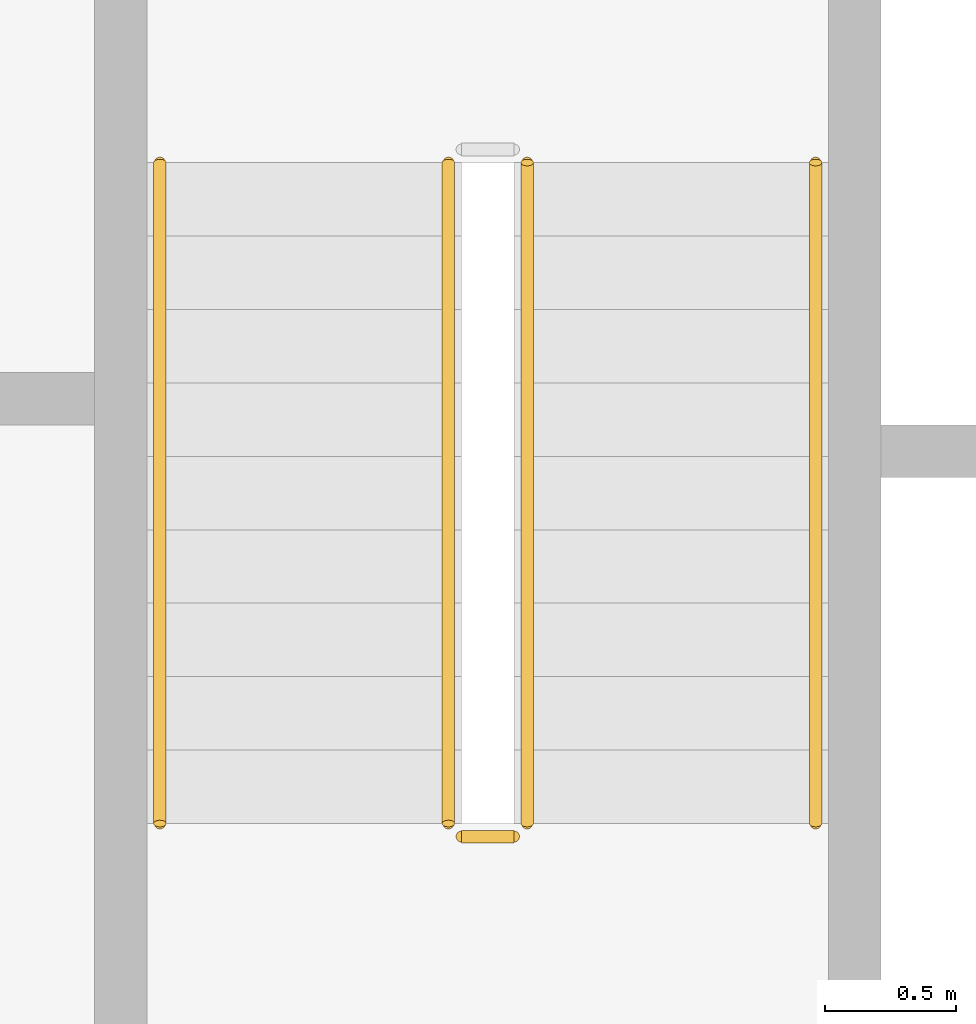
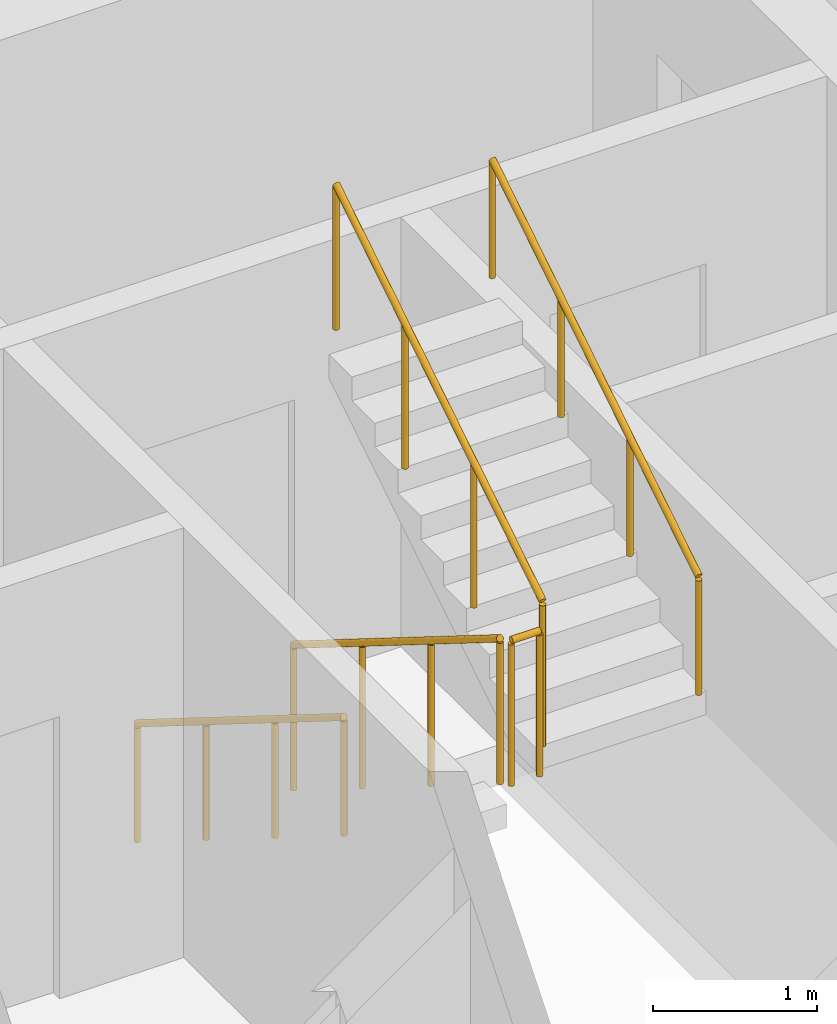
# One storey, part 15 of 22: 5 railings.
"""IFC4 building model written with IfcOpenShell, lengths in metres."""

from ifc_helpers import new_model, si_unit, direction, frame, origin, origin_2d, place, context, subcontext, project, spatial, circle, extrude, material, type_object, element, save


model = new_model("IFC4")

# Units and contexts
model_context = context("Model", 3, precision=1e-05, world=origin(), true_north=direction((0.0, 1.0)))
body_context = subcontext(model_context, "Body", "Model", "MODEL_VIEW")
ifc_project = project(units=[si_unit("LENGTHUNIT", "METRE"), si_unit("AREAUNIT", "SQUARE_METRE"), si_unit("VOLUMEUNIT", "CUBIC_METRE"), si_unit("PLANEANGLEUNIT", "RADIAN"), si_unit("MASSUNIT", "GRAM", prefix="KILO")], contexts=[model_context])

# Site, building, storey
site_placement = place(None, origin())
site = spatial("IfcSite", under=ifc_project, at=site_placement, CompositionType="ELEMENT")
building_placement = place(site_placement, origin())
building = spatial("IfcBuilding", under=site, at=building_placement, Name="Kiln Ring Residences", CompositionType="ELEMENT")
storey_placement = place(building_placement, frame((0.0, 0.0, 146.60009765625)))
storey = spatial("IfcBuildingStorey", under=building, at=storey_placement, Name="L37", CompositionType="ELEMENT", Elevation=146.60009765625)

# Railings
ifc_material_1 = material(Name="Stainless steel", Category="steel")
railing_type_1 = type_object("IfcRailingType", Name="CORE-STAIR-GUARD", PredefinedType="GUARDRAIL", material=ifc_material_1)
railing_1_placement = place(storey_placement, frame((-22.25, 8.39990234375, 0.1748046875)))
element("IfcRailing", 1, at=railing_1_placement, inside=storey, type_object=railing_type_1, Name="L37 W-STN stair guard 1", PredefinedType="GUARDRAIL", context=body_context, shape_type="SweptSolid", body=[
    extrude(circle(Radius=0.02392578125, at=origin_2d()), frame((0.0, 0.0, 1.076171875), z_axis=(0.0, -0.847970611238, 0.530043245855), x_axis=(1.0, 0.0, 0.0)), (0.0, 0.0, 1.0), 2.971923828125),
    extrude(circle(Radius=0.02099609375, at=origin_2d()), origin(), (0.0, 0.0, 1.0), 1.052001953125),
    extrude(circle(Radius=0.02099609375, at=origin_2d()), frame((0.0, -0.840087890625, 0.525146484375)), (0.0, 0.0, 1.0), 1.052001953125),
    extrude(circle(Radius=0.02099609375, at=origin_2d()), frame((0.0, -1.679931640625, 1.050048828125)), (0.0, 0.0, 1.0), 1.052001953125),
    extrude(circle(Radius=0.02099609375, at=origin_2d()), frame((0.0, -2.52001953125, 1.5751953125)), (0.0, 0.0, 1.0), 1.052001953125),
])
railing_2_placement = place(storey_placement, frame((-22.199951171875, 5.830078125, 1.75)))
element("IfcRailing", 2, at=railing_2_placement, inside=storey, type_object=railing_type_1, Name="L37 W-STN stair guard 2", PredefinedType="GUARDRAIL", context=body_context, shape_type="SweptSolid", body=[
    extrude(circle(Radius=0.02392578125, at=origin_2d()), frame((0.0, 0.0, 1.076171875), z_axis=(1.0, 0.0, 0.0), x_axis=(0.0, 1.0, 0.0)), (0.0, 0.0, 1.0), 0.199951171875),
    extrude(circle(Radius=0.02099609375, at=origin_2d()), origin(), (0.0, 0.0, 1.0), 1.052001953125),
    extrude(circle(Radius=0.02099609375, at=origin_2d()), frame((0.199951171875, 0.0, 0.0)), (0.0, 0.0, 1.0), 1.052001953125),
])
railing_3_placement = place(storey_placement, frame((-21.949951171875, 5.8798828125, 1.9248046875)))
element("IfcRailing", 3, at=railing_3_placement, inside=storey, type_object=railing_type_1, Name="L37 W-STN stair guard 3", PredefinedType="GUARDRAIL", context=body_context, shape_type="SweptSolid", body=[
    extrude(circle(Radius=0.02392578125, at=origin_2d()), frame((0.0, 0.0, 1.076171875), z_axis=(0.0, 0.847970611238, 0.530043245855), x_axis=(-1.0, 0.0, 0.0)), (0.0, 0.0, 1.0), 2.971923828125),
    extrude(circle(Radius=0.02099609375, at=origin_2d()), origin(), (0.0, 0.0, 1.0), 1.052001953125),
    extrude(circle(Radius=0.02099609375, at=origin_2d()), frame((0.0, 0.840087890625, 0.525146484375)), (0.0, 0.0, 1.0), 1.052001953125),
    extrude(circle(Radius=0.02099609375, at=origin_2d()), frame((0.0, 1.679931640625, 1.050048828125)), (0.0, 0.0, 1.0), 1.052001953125),
    extrude(circle(Radius=0.02099609375, at=origin_2d()), frame((0.0, 2.52001953125, 1.5751953125)), (0.0, 0.0, 1.0), 1.052001953125),
])
ifc_material_2 = material(Name="Stainless steel", Category="steel")
railing_type_2 = type_object("IfcRailingType", Name="CORE-STAIR-HANDRAIL", PredefinedType="HANDRAIL", material=ifc_material_2)
railing_4_placement = place(storey_placement, frame((-23.35009765625, 8.39990234375, 0.1748046875)))
element("IfcRailing", 4, at=railing_4_placement, inside=storey, type_object=railing_type_2, Name="L37 W-STN stair handrail 1", PredefinedType="HANDRAIL", context=body_context, shape_type="SweptSolid", body=[
    extrude(circle(Radius=0.02392578125, at=origin_2d()), frame((0.0, 0.0, 0.8759765625), z_axis=(0.0, -0.847970611238, 0.530043245855), x_axis=(1.0, 0.0, 0.0)), (0.0, 0.0, 1.0), 2.971923828125),
    extrude(circle(Radius=0.02099609375, at=origin_2d()), origin(), (0.0, 0.0, 1.0), 0.851806640625),
    extrude(circle(Radius=0.02099609375, at=origin_2d()), frame((0.0, -0.840087890625, 0.525146484375)), (0.0, 0.0, 1.0), 0.851806640625),
    extrude(circle(Radius=0.02099609375, at=origin_2d()), frame((0.0, -1.679931640625, 1.050048828125)), (0.0, 0.0, 1.0), 0.851806640625),
    extrude(circle(Radius=0.02099609375, at=origin_2d()), frame((0.0, -2.52001953125, 1.5751953125)), (0.0, 0.0, 1.0), 0.851806640625),
])
railing_5_placement = place(storey_placement, frame((-20.85009765625, 5.8798828125, 1.9248046875)))
element("IfcRailing", 5, at=railing_5_placement, inside=storey, type_object=railing_type_2, Name="L37 W-STN stair handrail 2", PredefinedType="HANDRAIL", context=body_context, shape_type="SweptSolid", body=[
    extrude(circle(Radius=0.02392578125, at=origin_2d()), frame((0.0, 0.0, 0.8759765625), z_axis=(0.0, 0.847970611238, 0.530043245855), x_axis=(-1.0, 0.0, 0.0)), (0.0, 0.0, 1.0), 2.971923828125),
    extrude(circle(Radius=0.02099609375, at=origin_2d()), origin(), (0.0, 0.0, 1.0), 0.851806640625),
    extrude(circle(Radius=0.02099609375, at=origin_2d()), frame((0.0, 0.840087890625, 0.525146484375)), (0.0, 0.0, 1.0), 0.851806640625),
    extrude(circle(Radius=0.02099609375, at=origin_2d()), frame((0.0, 1.679931640625, 1.050048828125)), (0.0, 0.0, 1.0), 0.851806640625),
    extrude(circle(Radius=0.02099609375, at=origin_2d()), frame((0.0, 2.52001953125, 1.5751953125)), (0.0, 0.0, 1.0), 0.851806640625),
])

save(model, "model.ifc")
